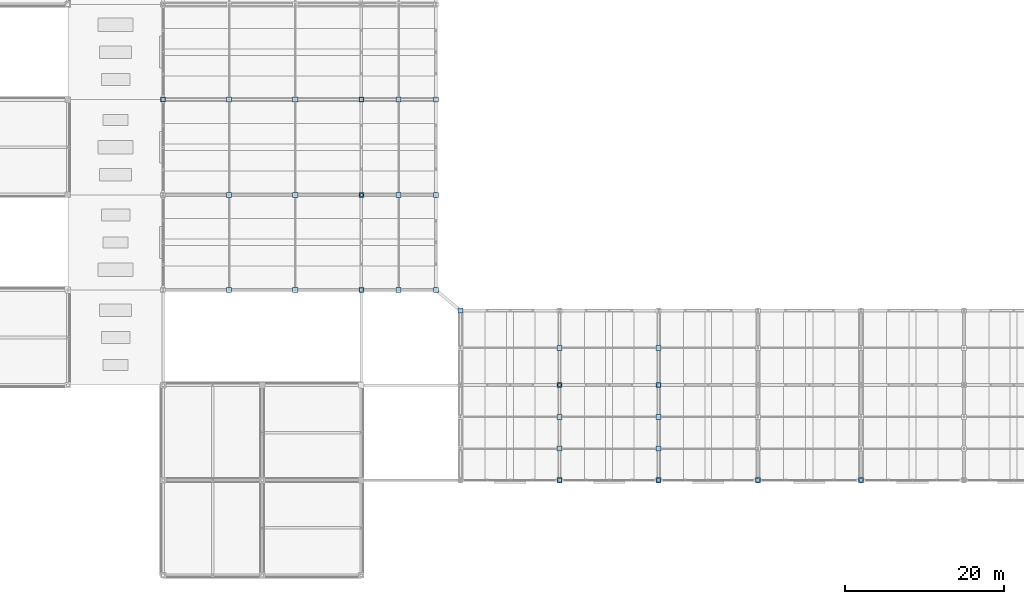
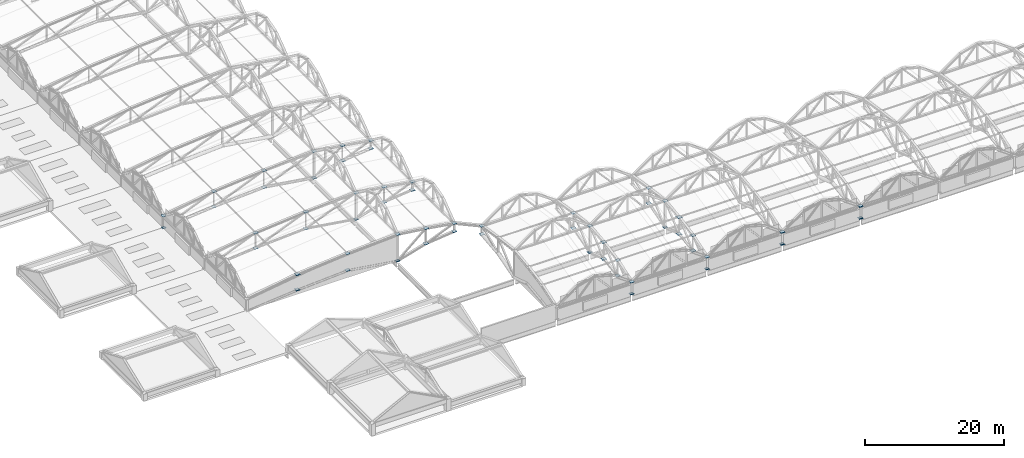
# One storey, part 99 of 117: 68 plates.
"""IFC4 building model written with IfcOpenShell, lengths in metres."""

from ifc_helpers import new_model, si_unit, direction, frame, origin, origin_2d, place, context, subcontext, project, spatial, rectangle, extrude, material, layer, layer_set, type_object, element, save


model = new_model("IFC4")

# Units and contexts
model_context = context("Model", 3, precision=1e-05, world=origin(), true_north=direction((0.0, 1.0)))
body_context = subcontext(model_context, "Body", "Model", "MODEL_VIEW")
ifc_project = project(units=[si_unit("LENGTHUNIT", "METRE"), si_unit("AREAUNIT", "SQUARE_METRE"), si_unit("VOLUMEUNIT", "CUBIC_METRE"), si_unit("PLANEANGLEUNIT", "RADIAN"), si_unit("MASSUNIT", "GRAM", prefix="KILO")], contexts=[model_context])

# Site, building, storey
site_placement = place(None, origin())
site = spatial("IfcSite", under=ifc_project, at=site_placement, CompositionType="ELEMENT")
building_placement = place(site_placement, origin())
building = spatial("IfcBuilding", under=site, at=building_placement, Name="Kazenohara Klinker Stadium", CompositionType="ELEMENT")
storey_placement = place(building_placement, frame((0.0, 0.0, 31.199951171875)))
storey = spatial("IfcBuildingStorey", under=building, at=storey_placement, Name="RF", CompositionType="ELEMENT", Elevation=31.199951171875)

# Plates
ifc_material = material(Name="Steel S355", Category="steel")
ifc_layer_1 = layer(ifc_material, 0.02001953125)
ifc_layer_set_1 = layer_set([ifc_layer_1], Name="Steel S355")
plate_type_1 = type_object("IfcPlateType", Name="PLT-GP01", PredefinedType="USERDEFINED", material=ifc_layer_set_1)
for number, where, z_axis, x_axis, name in (
    (1, (24.0, 72.0, -0.010009765625), (0.0, 0.0, 1.0), (1.0, 0.0, 0.0), "Hollow column end-cap plate GP01 RF 3/G"),
    (2, (49.0, 72.0, -0.010009765625), (0.0, 0.0, 1.0), (1.0, 0.0, 0.0), "Hollow column end-cap plate GP01 RF 5/G"),
):
    element("IfcPlate", number, at=place(storey_placement, frame(where, z_axis=z_axis, x_axis=x_axis)), inside=storey, type_object=plate_type_1, Name=name, ObjectType="GUSSET PLATE", PredefinedType="USERDEFINED", context=body_context, shape_type="SweptSolid", body=[
        extrude(rectangle(XDim=0.43994140625, YDim=0.43994140625, at=origin_2d()), origin(), (0.0, 0.0, 1.0), 0.02001953125),
    ])
for number, where, z_axis, x_axis, name in (
    (3, (58.39990234375, 60.0, 1.840087890625), (0.0, 0.0, 1.0), (1.0, 0.0, 0.0), "ROOF TRUSS RT-W02 node gusset plate BN6"),
    (4, (58.39990234375, 60.0, 3.2900390625), (0.0, 0.0, 1.0), (1.0, 0.0, 0.0), "ROOF TRUSS RT-W02 node gusset plate TN6"),
    (5, (74.0, 32.0, 1.239990234375), (0.0, 0.0, 1.0), (1.0, 0.0, 0.0), "ROOF TRUSS RT-S02 node gusset plate BN3"),
    (6, (74.0, 32.0, 4.18994140625), (0.0, 0.0, 1.0), (1.0, 0.0, 0.0), "ROOF TRUSS RT-S02 node gusset plate TN3"),
    (7, (53.699951171875, 72.0, 1.340087890625), (0.0, 0.0, 1.0), (1.0, 0.0, 0.0), "ROOF TRUSS RT-W03 node gusset plate BN5"),
    (8, (53.699951171875, 72.0, 4.0400390625), (0.0, 0.0, 1.0), (1.0, 0.0, 0.0), "ROOF TRUSS RT-W03 node gusset plate TN5"),
    (9, (86.5, 28.0, 0.739990234375), (0.0, 0.0, 1.0), (1.0, 0.0, 0.0), "ROOF TRUSS RT-S03 node gusset plate BN2"),
    (10, (86.5, 28.0, 3.43994140625), (0.0, 0.0, 1.0), (1.0, 0.0, 0.0), "ROOF TRUSS RT-S03 node gusset plate TN2"),
    (11, (99.0, 24.0, -0.030029296875), (0.0, 0.0, 1.0), (1.0, 0.0, 0.0), "ROOF TRUSS RT-S04 node gusset plate BN1"),
    (12, (99.0, 24.0, 2.090087890625), (0.0, 0.0, 1.0), (1.0, 0.0, 0.0), "ROOF TRUSS RT-S04 node gusset plate TN1"),
):
    element("IfcPlate", number, at=place(storey_placement, frame(where, z_axis=z_axis, x_axis=x_axis)), inside=storey, type_object=plate_type_1, Name=name, ObjectType="GUSSET PLATE", PredefinedType="USERDEFINED", context=body_context, shape_type="SweptSolid", body=[
        extrude(rectangle(XDim=0.639892578125, YDim=0.639892578125, at=origin_2d()), origin(), (0.0, 0.0, 1.0), 0.02001953125),
    ])
ifc_layer_2 = layer(ifc_material, 0.02197265625)
ifc_layer_set_2 = layer_set([ifc_layer_2], Name="Steel S355")
plate_type_2 = type_object("IfcPlateType", Name="PLT-GP02", PredefinedType="USERDEFINED", material=ifc_layer_set_2)
plate_1_placement = place(storey_placement, frame((74.0, 36.0, -0.010986328125), z_axis=(0.0, 0.0, 1.0), x_axis=(1.0, 0.0, 0.0)))
element("IfcPlate", 13, at=plate_1_placement, inside=storey, type_object=plate_type_2, Name="Hollow column end-cap plate GP02 RF 7/D", ObjectType="GUSSET PLATE", PredefinedType="USERDEFINED", context=body_context, shape_type="SweptSolid", body=[
    extrude(rectangle(XDim=0.389892578125, YDim=0.389892578125, at=origin_2d()), origin(), (0.0, 0.0, 1.0), 0.02197265625),
])
for number, where, z_axis, x_axis, name in (
    (14, (32.333251953125, 48.0, 0.739013671875), (0.0, 0.0, 1.0), (1.0, 0.0, 0.0), "ROOF TRUSS RT-W01 node gusset plate BN2"),
    (15, (32.333251953125, 48.0, 3.43896484375), (0.0, 0.0, 1.0), (1.0, 0.0, 0.0), "ROOF TRUSS RT-W01 node gusset plate TN2"),
    (16, (74.0, 36.0, -0.031005859375), (0.0, 0.0, 1.0), (1.0, 0.0, 0.0), "ROOF TRUSS RT-S02 node gusset plate BN4"),
    (17, (74.0, 36.0, 4.63916015625), (0.0, 0.0, 1.0), (1.0, 0.0, 0.0), "ROOF TRUSS RT-S02 node gusset plate TN4"),
    (18, (58.39990234375, 72.0, 1.839111328125), (0.0, 0.0, 1.0), (1.0, 0.0, 0.0), "ROOF TRUSS RT-W03 node gusset plate BN6"),
    (19, (58.39990234375, 72.0, 3.2890625), (0.0, 0.0, 1.0), (1.0, 0.0, 0.0), "ROOF TRUSS RT-W03 node gusset plate TN6"),
    (20, (86.5, 32.0, 1.239013671875), (0.0, 0.0, 1.0), (1.0, 0.0, 0.0), "ROOF TRUSS RT-S03 node gusset plate BN3"),
    (21, (86.5, 32.0, 4.18896484375), (0.0, 0.0, 1.0), (1.0, 0.0, 0.0), "ROOF TRUSS RT-S03 node gusset plate TN3"),
    (22, (112.0, 24.0, -0.031005859375), (0.0, 0.0, 1.0), (1.0, 0.0, 0.0), "ROOF TRUSS RT-S05 node gusset plate BN1"),
    (23, (112.0, 24.0, 2.089111328125), (0.0, 0.0, 1.0), (1.0, 0.0, 0.0), "ROOF TRUSS RT-S05 node gusset plate TN1"),
):
    element("IfcPlate", number, at=place(storey_placement, frame(where, z_axis=z_axis, x_axis=x_axis)), inside=storey, type_object=plate_type_2, Name=name, ObjectType="GUSSET PLATE", PredefinedType="USERDEFINED", context=body_context, shape_type="SweptSolid", body=[
        extrude(rectangle(XDim=0.639892578125, YDim=0.639892578125, at=origin_2d()), origin(), (0.0, 0.0, 1.0), 0.02197265625),
    ])
ifc_layer_3 = layer(ifc_material, 0.02392578125)
ifc_layer_set_3 = layer_set([ifc_layer_3], Name="Steel S355")
plate_type_3 = type_object("IfcPlateType", Name="PLT-GP03", PredefinedType="USERDEFINED", material=ifc_layer_set_3)
for number, where, z_axis, x_axis, name in (
    (24, (49.0, 48.0, -0.011962890625), (0.0, 0.0, 1.0), (1.0, 0.0, 0.0), "Hollow column end-cap plate GP03 RF 5/E"),
    (25, (74.0, 24.0, -0.011962890625), (0.0, 0.0, 1.0), (1.0, 0.0, 0.0), "Hollow column end-cap plate GP03 RF 7/C"),
):
    element("IfcPlate", number, at=place(storey_placement, frame(where, z_axis=z_axis, x_axis=x_axis)), inside=storey, type_object=plate_type_3, Name=name, ObjectType="GUSSET PLATE", PredefinedType="USERDEFINED", context=body_context, shape_type="SweptSolid", body=[
        extrude(rectangle(XDim=0.43994140625, YDim=0.43994140625, at=origin_2d()), origin(), (0.0, 0.0, 1.0), 0.02392578125),
    ])
plate_2_placement = place(storey_placement, frame((86.5, 24.0, -0.011962890625), z_axis=(0.0, 0.0, 1.0), x_axis=(1.0, 0.0, 0.0)))
element("IfcPlate", 26, at=plate_2_placement, inside=storey, type_object=plate_type_3, Name="Hollow column end-cap plate GP03 RF 8/C", ObjectType="GUSSET PLATE", PredefinedType="USERDEFINED", context=body_context, shape_type="SweptSolid", body=[
    extrude(rectangle(XDim=0.389892578125, YDim=0.389892578125, at=origin_2d()), origin(), (0.0, 0.0, 1.0), 0.02392578125),
])
for number, where, z_axis, x_axis, name in (
    (27, (86.5, 36.0, -0.011962890625), (0.0, 0.0, 1.0), (1.0, 0.0, 0.0), "Hollow column end-cap plate GP03 RF 8/D"),
    (28, (99.0, 24.0, -0.011962890625), (0.0, 0.0, 1.0), (1.0, 0.0, 0.0), "Hollow column end-cap plate GP03 RF 9/C"),
):
    element("IfcPlate", number, at=place(storey_placement, frame(where, z_axis=z_axis, x_axis=x_axis)), inside=storey, type_object=plate_type_3, Name=name, ObjectType="GUSSET PLATE", PredefinedType="USERDEFINED", context=body_context, shape_type="SweptSolid", body=[
        extrude(rectangle(XDim=0.43994140625, YDim=0.43994140625, at=origin_2d()), origin(), (0.0, 0.0, 1.0), 0.02392578125),
    ])
plate_3_placement = place(storey_placement, frame((112.0, 24.0, -0.011962890625), z_axis=(0.0, 0.0, 1.0), x_axis=(1.0, 0.0, 0.0)))
element("IfcPlate", 29, at=plate_3_placement, inside=storey, type_object=plate_type_3, Name="Hollow column end-cap plate GP03 RF 10/C", ObjectType="GUSSET PLATE", PredefinedType="USERDEFINED", context=body_context, shape_type="SweptSolid", body=[
    extrude(rectangle(XDim=0.389892578125, YDim=0.389892578125, at=origin_2d()), origin(), (0.0, 0.0, 1.0), 0.02392578125),
])
for number, where, z_axis, x_axis, name in (
    (30, (40.666748046875, 48.0, 1.238037109375), (0.0, 0.0, 1.0), (1.0, 0.0, 0.0), "ROOF TRUSS RT-W01 node gusset plate BN3"),
    (31, (40.666748046875, 48.0, 4.18798828125), (0.0, 0.0, 1.0), (1.0, 0.0, 0.0), "ROOF TRUSS RT-W01 node gusset plate TN3"),
    (32, (61.5, 45.39990234375, 1.838134765625), (0.0, 0.0, 1.0), (1.0, 0.0, 0.0), "ROOF TRUSS RT-S01 node gusset plate BN6"),
    (33, (61.5, 45.39990234375, 3.2880859375), (0.0, 0.0, 1.0), (1.0, 0.0, 0.0), "ROOF TRUSS RT-S01 node gusset plate TN6"),
    (34, (32.333251953125, 60.0, 0.738037109375), (0.0, 0.0, 1.0), (1.0, 0.0, 0.0), "ROOF TRUSS RT-W02 node gusset plate BN2"),
    (35, (32.333251953125, 60.0, 3.43798828125), (0.0, 0.0, 1.0), (1.0, 0.0, 0.0), "ROOF TRUSS RT-W02 node gusset plate TN2"),
    (36, (74.0, 40.699951171875, 1.338134765625), (0.0, 0.0, 1.0), (1.0, 0.0, 0.0), "ROOF TRUSS RT-S02 node gusset plate BN5"),
    (37, (74.0, 40.699951171875, 4.0380859375), (0.0, 0.0, 1.0), (1.0, 0.0, 0.0), "ROOF TRUSS RT-S02 node gusset plate TN5"),
    (38, (24.0, 72.0, -0.031982421875), (0.0, 0.0, 1.0), (1.0, 0.0, 0.0), "ROOF TRUSS RT-W03 node gusset plate BN1"),
    (39, (24.0, 72.0, 2.088134765625), (0.0, 0.0, 1.0), (1.0, 0.0, 0.0), "ROOF TRUSS RT-W03 node gusset plate TN1"),
    (40, (86.5, 36.0, -0.031982421875), (0.0, 0.0, 1.0), (1.0, 0.0, 0.0), "ROOF TRUSS RT-S03 node gusset plate BN4"),
    (41, (86.5, 36.0, 4.63818359375), (0.0, 0.0, 1.0), (1.0, 0.0, 0.0), "ROOF TRUSS RT-S03 node gusset plate TN4"),
):
    element("IfcPlate", number, at=place(storey_placement, frame(where, z_axis=z_axis, x_axis=x_axis)), inside=storey, type_object=plate_type_3, Name=name, ObjectType="GUSSET PLATE", PredefinedType="USERDEFINED", context=body_context, shape_type="SweptSolid", body=[
        extrude(rectangle(XDim=0.639892578125, YDim=0.639892578125, at=origin_2d()), origin(), (0.0, 0.0, 1.0), 0.02392578125),
    ])
ifc_layer_4 = layer(ifc_material, 0.02490234375)
ifc_layer_set_4 = layer_set([ifc_layer_4], Name="Steel S355")
plate_type_4 = type_object("IfcPlateType", Name="PLT-GP04", PredefinedType="USERDEFINED", material=ifc_layer_set_4)
plate_4_placement = place(storey_placement, frame((49.0, 60.0, -0.012451171875), z_axis=(0.0, 0.0, 1.0), x_axis=(1.0, 0.0, 0.0)))
element("IfcPlate", 42, at=plate_4_placement, inside=storey, type_object=plate_type_4, Name="Hollow column end-cap plate GP04 RF 5/F", ObjectType="GUSSET PLATE", PredefinedType="USERDEFINED", context=body_context, shape_type="SweptSolid", body=[
    extrude(rectangle(XDim=0.389892578125, YDim=0.389892578125, at=origin_2d()), origin(), (0.0, 0.0, 1.0), 0.02490234375),
])
for number, where, z_axis, x_axis, name in (
    (43, (49.0, 48.0, -0.032470703125), (0.0, 0.0, 1.0), (1.0, 0.0, 0.0), "ROOF TRUSS RT-W01 node gusset plate BN4"),
    (44, (49.0, 48.0, 4.6376953125), (0.0, 0.0, 1.0), (1.0, 0.0, 0.0), "ROOF TRUSS RT-W01 node gusset plate TN4"),
    (45, (40.666748046875, 60.0, 1.237548828125), (0.0, 0.0, 1.0), (1.0, 0.0, 0.0), "ROOF TRUSS RT-W02 node gusset plate BN3"),
    (46, (40.666748046875, 60.0, 4.1875), (0.0, 0.0, 1.0), (1.0, 0.0, 0.0), "ROOF TRUSS RT-W02 node gusset plate TN3"),
    (47, (32.333251953125, 72.0, 0.737548828125), (0.0, 0.0, 1.0), (1.0, 0.0, 0.0), "ROOF TRUSS RT-W03 node gusset plate BN2"),
    (48, (32.333251953125, 72.0, 3.4375), (0.0, 0.0, 1.0), (1.0, 0.0, 0.0), "ROOF TRUSS RT-W03 node gusset plate TN2"),
    (49, (86.5, 40.699951171875, 1.337646484375), (0.0, 0.0, 1.0), (1.0, 0.0, 0.0), "ROOF TRUSS RT-S03 node gusset plate BN5"),
    (50, (86.5, 40.699951171875, 4.03759765625), (0.0, 0.0, 1.0), (1.0, 0.0, 0.0), "ROOF TRUSS RT-S03 node gusset plate TN5"),
):
    element("IfcPlate", number, at=place(storey_placement, frame(where, z_axis=z_axis, x_axis=x_axis)), inside=storey, type_object=plate_type_4, Name=name, ObjectType="GUSSET PLATE", PredefinedType="USERDEFINED", context=body_context, shape_type="SweptSolid", body=[
        extrude(rectangle(XDim=0.639892578125, YDim=0.639892578125, at=origin_2d()), origin(), (0.0, 0.0, 1.0), 0.02490234375),
    ])
ifc_layer_5 = layer(ifc_material, 0.02587890625)
ifc_layer_set_5 = layer_set([ifc_layer_5], Name="Steel S355")
plate_type_5 = type_object("IfcPlateType", Name="PLT-GP05", PredefinedType="USERDEFINED", material=ifc_layer_set_5)
for number, where, z_axis, x_axis, name in (
    (51, (53.699951171875, 48.0, 1.337158203125), (0.0, 0.0, 1.0), (1.0, 0.0, 0.0), "ROOF TRUSS RT-W01 node gusset plate BN5"),
    (52, (53.699951171875, 48.0, 4.037109375), (0.0, 0.0, 1.0), (1.0, 0.0, 0.0), "ROOF TRUSS RT-W01 node gusset plate TN5"),
    (53, (49.0, 60.0, -0.032958984375), (0.0, 0.0, 1.0), (1.0, 0.0, 0.0), "ROOF TRUSS RT-W02 node gusset plate BN4"),
    (54, (49.0, 60.0, 4.63720703125), (0.0, 0.0, 1.0), (1.0, 0.0, 0.0), "ROOF TRUSS RT-W02 node gusset plate TN4"),
    (55, (74.0, 24.0, -0.032958984375), (0.0, 0.0, 1.0), (1.0, 0.0, 0.0), "ROOF TRUSS RT-S02 node gusset plate BN1"),
    (56, (74.0, 24.0, 2.087158203125), (0.0, 0.0, 1.0), (1.0, 0.0, 0.0), "ROOF TRUSS RT-S02 node gusset plate TN1"),
    (57, (40.666748046875, 72.0, 1.237060546875), (0.0, 0.0, 1.0), (1.0, 0.0, 0.0), "ROOF TRUSS RT-W03 node gusset plate BN3"),
    (58, (40.666748046875, 72.0, 4.18701171875), (0.0, 0.0, 1.0), (1.0, 0.0, 0.0), "ROOF TRUSS RT-W03 node gusset plate TN3"),
):
    element("IfcPlate", number, at=place(storey_placement, frame(where, z_axis=z_axis, x_axis=x_axis)), inside=storey, type_object=plate_type_5, Name=name, ObjectType="GUSSET PLATE", PredefinedType="USERDEFINED", context=body_context, shape_type="SweptSolid", body=[
        extrude(rectangle(XDim=0.639892578125, YDim=0.639892578125, at=origin_2d()), origin(), (0.0, 0.0, 1.0), 0.02587890625),
    ])
ifc_layer_6 = layer(ifc_material, 0.028076171875)
ifc_layer_set_6 = layer_set([ifc_layer_6], Name="Steel S355")
plate_type_6 = type_object("IfcPlateType", Name="PLT-GP06", PredefinedType="USERDEFINED", material=ifc_layer_set_6)
for number, where, z_axis, x_axis, name in (
    (59, (58.39990234375, 48.0, 1.8359375), (0.0, 0.0, 1.0), (1.0, 0.0, 0.0), "ROOF TRUSS RT-W01 node gusset plate BN6"),
    (60, (58.39990234375, 48.0, 3.2861328125), (0.0, 0.0, 1.0), (1.0, 0.0, 0.0), "ROOF TRUSS RT-W01 node gusset plate TN6"),
    (61, (53.699951171875, 60.0, 1.3359375), (0.0, 0.0, 1.0), (1.0, 0.0, 0.0), "ROOF TRUSS RT-W02 node gusset plate BN5"),
    (62, (53.699951171875, 60.0, 4.0361328125), (0.0, 0.0, 1.0), (1.0, 0.0, 0.0), "ROOF TRUSS RT-W02 node gusset plate TN5"),
    (63, (74.0, 28.0, 0.73583984375), (0.0, 0.0, 1.0), (1.0, 0.0, 0.0), "ROOF TRUSS RT-S02 node gusset plate BN2"),
    (64, (74.0, 28.0, 3.43603515625), (0.0, 0.0, 1.0), (1.0, 0.0, 0.0), "ROOF TRUSS RT-S02 node gusset plate TN2"),
    (65, (49.0, 72.0, -0.0341796875), (0.0, 0.0, 1.0), (1.0, 0.0, 0.0), "ROOF TRUSS RT-W03 node gusset plate BN4"),
    (66, (49.0, 72.0, 4.63623046875), (0.0, 0.0, 1.0), (1.0, 0.0, 0.0), "ROOF TRUSS RT-W03 node gusset plate TN4"),
    (67, (86.5, 24.0, -0.0341796875), (0.0, 0.0, 1.0), (1.0, 0.0, 0.0), "ROOF TRUSS RT-S03 node gusset plate BN1"),
    (68, (86.5, 24.0, 2.0859375), (0.0, 0.0, 1.0), (1.0, 0.0, 0.0), "ROOF TRUSS RT-S03 node gusset plate TN1"),
):
    element("IfcPlate", number, at=place(storey_placement, frame(where, z_axis=z_axis, x_axis=x_axis)), inside=storey, type_object=plate_type_6, Name=name, ObjectType="GUSSET PLATE", PredefinedType="USERDEFINED", context=body_context, shape_type="SweptSolid", body=[
        extrude(rectangle(XDim=0.639892578125, YDim=0.639892578125, at=origin_2d()), origin(), (0.0, 0.0, 1.0), 0.028076171875),
    ])

save(model, "model.ifc")
